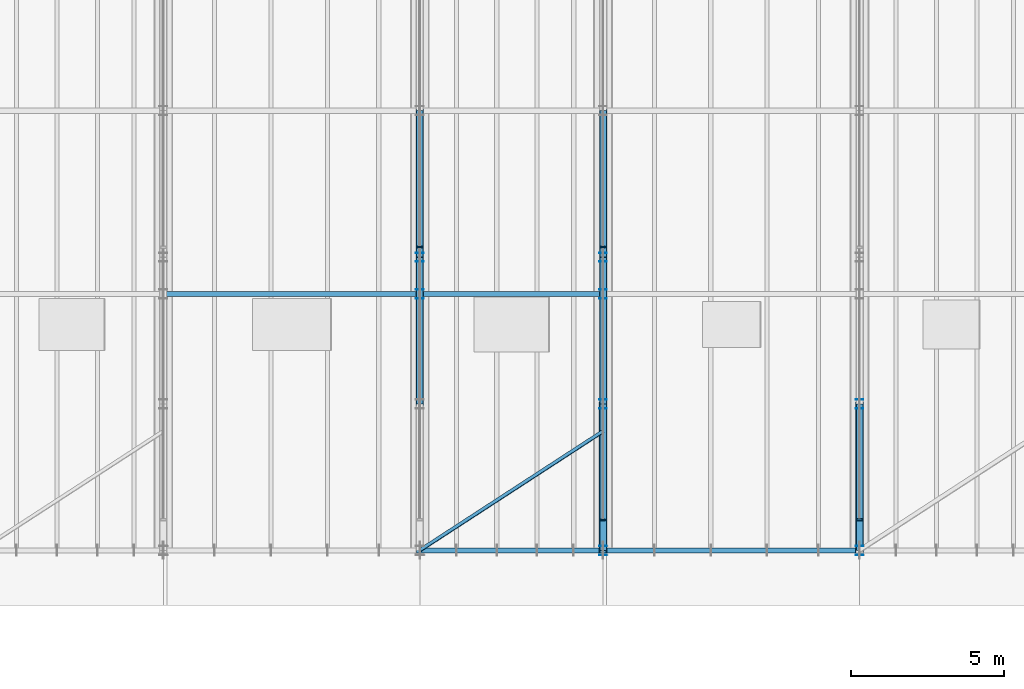
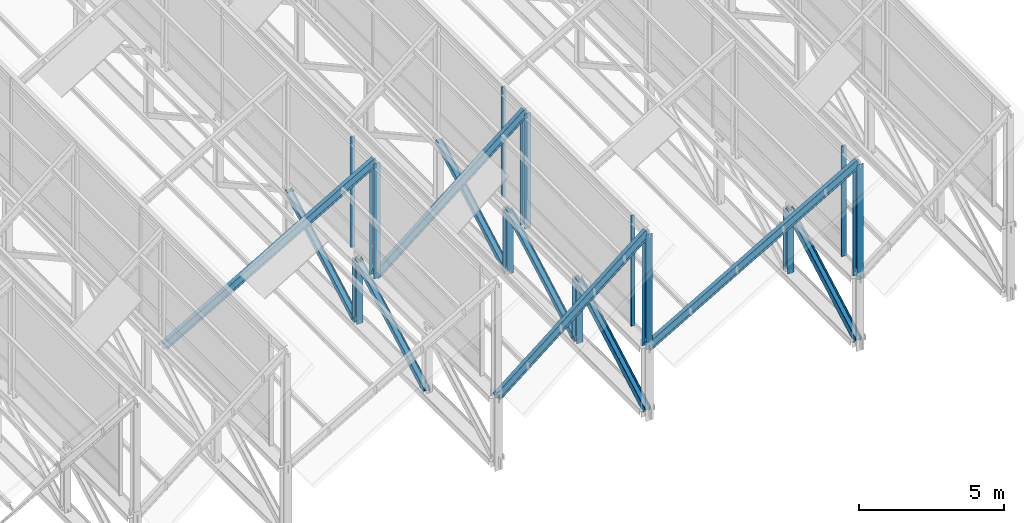
# One storey, part 17 of 101: 19 members, 4 beams, 3 elements without a shape of their own.
"""IFC4 building model written with IfcOpenShell, lengths in metres."""

import ifcopenshell
import ifcopenshell.guid

model = None  # the IFC model being written
_history = None  # IfcOwnerHistory: only IFC2X3 demands one
_inside = {}  # id of a spatial element -> (the spatial element, [elements in it])
_under = {}  # id of a project, library or spatial element -> (it, [spatial elements below it])
_declared = {}  # id of a project -> (the project, [libraries it declares])
_typed = {}  # id of a type object -> (the type object, [elements of that type])
_made_of = {}  # id of a material, layer set ... -> (it, [elements and type objects made of it])


def new_model(schema):
    """Start an empty IFC model of exactly this schema.

    Asked for "IFC4X3", IfcOpenShell would pick the latest addendum, in which some entities
    have other attributes; the version numbers below select the first issue.
    IFC2X3 requires an IfcOwnerHistory on every rooted entity: one is made here for all.
    """
    global model, _history
    if schema == "IFC4X3":
        model = ifcopenshell.file(schema_version=(4, 3, 0, 0))
    else:
        model = ifcopenshell.file(schema=schema)
    _inside.clear()
    _under.clear()
    _declared.clear()
    _typed.clear()
    _made_of.clear()
    _history = None
    if model.schema == "IFC2X3":
        org = make("IfcOrganization", Name="unknown")
        user = make(
            "IfcPersonAndOrganization",
            ThePerson=make("IfcPerson", FamilyName="unknown"),
            TheOrganization=org,
        )
        app = make(
            "IfcApplication",
            ApplicationDeveloper=org,
            Version="unknown",
            ApplicationFullName="unknown",
            ApplicationIdentifier="unknown",
        )
        _history = make(
            "IfcOwnerHistory",
            OwningUser=user,
            OwningApplication=app,
            ChangeAction="ADDED",
            CreationDate=0,
        )
    return model


def make(cls, **values):
    """One entity of the class cls with the attributes given. An attribute that is None is left unset."""
    return model.create_entity(
        cls, **{name: value for name, value in values.items() if value is not None}
    )


def rooted(cls, **values):
    """An entity with a GlobalId (a new one), such as an element, a storey or a relation."""
    return make(cls, GlobalId=ifcopenshell.guid.new(), OwnerHistory=_history, **values)


def si_unit(unit_type, name, prefix=None):
    """IfcSIUnit, for example si_unit("LENGTHUNIT", "METRE", prefix="MILLI")."""
    return make("IfcSIUnit", UnitType=unit_type, Prefix=prefix, Name=name)


def assignment(units):
    """IfcUnitAssignment: the units of a project."""
    return None if units is None else make("IfcUnitAssignment", Units=units)


def point(xyz):
    """IfcCartesianPoint."""
    return None if xyz is None else make("IfcCartesianPoint", Coordinates=xyz)


def direction(xyz):
    """IfcDirection."""
    return None if xyz is None else make("IfcDirection", DirectionRatios=xyz)


def frame(location, z_axis=None, x_axis=None):
    """IfcAxis2Placement3D, a coordinate frame: its origin and axes. An axis left out is left unset."""
    return make(
        "IfcAxis2Placement3D",
        Location=point(location),
        Axis=direction(z_axis),
        RefDirection=direction(x_axis),
    )


def frame_2d(location, x_axis=None):
    """IfcAxis2Placement2D, a coordinate frame in the plane: its origin and x axis."""
    return make(
        "IfcAxis2Placement2D", Location=point(location), RefDirection=direction(x_axis)
    )


def origin():
    """The frame at (0, 0, 0) with its axes left unset."""
    return frame((0.0, 0.0, 0.0))


def origin_2d():
    """The frame at (0, 0) in the plane with its x axis left unset."""
    return frame_2d((0.0, 0.0))


def place(relative_to, where):
    """IfcLocalPlacement: puts the frame where relative to a parent placement (None: the world)."""
    return make(
        "IfcLocalPlacement", PlacementRelTo=relative_to, RelativePlacement=where
    )


def context(
    kind, dimensions, precision=None, world=None, true_north=None, identifier=None
):
    """IfcGeometricRepresentationContext, for example the 3D "Model" context."""
    return make(
        "IfcGeometricRepresentationContext",
        ContextIdentifier=identifier,
        ContextType=kind,
        CoordinateSpaceDimension=dimensions,
        Precision=precision,
        WorldCoordinateSystem=world,
        TrueNorth=true_north,
    )


def subcontext(parent, identifier, kind, view, scale=None):
    """IfcGeometricRepresentationSubContext, for example "Body" below "Model"."""
    return make(
        "IfcGeometricRepresentationSubContext",
        ContextIdentifier=identifier,
        ContextType=kind,
        ParentContext=parent,
        TargetScale=scale,
        TargetView=view,
    )


def project(units=None, contexts=None):
    """IfcProject with its units and contexts."""
    return rooted(
        "IfcProject",
        Name="project",
        RepresentationContexts=contexts,
        UnitsInContext=assignment(units),
    )


def spatial(cls, under=None, at=None, **own):
    """A site, building, storey or space (cls), placed at a placement, below another one or the project."""
    s = rooted(cls, ObjectPlacement=at, **own)
    if under is not None:
        _under.setdefault(under.id(), (under, []))[1].append(s)
    return s


def profile(cls, at=None, kind="AREA", **sizes):
    """A parametric profile (cls). Its sizes go by their IFC names, for example OverallWidth=200.0."""
    return make(cls, ProfileType=kind, Position=at, **sizes)


def rectangle(**sizes):
    """IfcRectangleProfileDef."""
    return profile("IfcRectangleProfileDef", **sizes)


def i_section(**sizes):
    """IfcIShapeProfileDef."""
    return profile("IfcIShapeProfileDef", **sizes)


def l_section(**sizes):
    """IfcLShapeProfileDef."""
    return profile("IfcLShapeProfileDef", **sizes)


def extrude(swept, where, along, depth):
    """IfcExtrudedAreaSolid: the profile swept, set in the frame where, extruded along a direction by depth."""
    return make(
        "IfcExtrudedAreaSolid",
        SweptArea=swept,
        Position=where,
        ExtrudedDirection=direction(along),
        Depth=depth,
    )


def shape(context_of_items, identifier, shape_type, items):
    """IfcShapeRepresentation: the items that make up one representation, for example the "Body"."""
    return make(
        "IfcShapeRepresentation",
        ContextOfItems=context_of_items,
        RepresentationIdentifier=identifier,
        RepresentationType=shape_type,
        Items=items,
    )


def material(Name=None, Category=None):
    """IfcMaterial."""
    return make("IfcMaterial", Name=Name, Category=Category)


def material_profile(
    of_material, cross_section, Name=None, Category=None, Priority=None
):
    """IfcMaterialProfile: a cross section and its material."""
    return make(
        "IfcMaterialProfile",
        Name=Name,
        Material=of_material,
        Profile=cross_section,
        Priority=Priority,
        Category=Category,
    )


def profile_set(profiles, Name=None, composite=None):
    """IfcMaterialProfileSet."""
    return make(
        "IfcMaterialProfileSet",
        Name=Name,
        MaterialProfiles=profiles,
        CompositeProfile=composite,
    )


def made_of(thing, what):
    """Note that an element or type object is made of a material, layer set ...; save() writes the relation."""
    if what is not None:
        _made_of.setdefault(what.id(), (what, []))[1].append(thing)
    return thing


def type_object(cls, material=None, **own):
    """A type object (cls), such as IfcWallType, which elements share."""
    return made_of(rooted(cls, **own), material)


def element(
    cls,
    number,
    at=None,
    inside=None,
    cuts=None,
    type_object=None,
    material=None,
    context=None,
    identifier="Body",
    shape_type=None,
    held_by="IfcProductDefinitionShape",
    body=None,
    shapes=None,
    **own,
):
    """One element of the class cls, such as IfcWall. Its Tag is "e" and its number.

    at: its placement. inside: the storey or other place that contains it. cuts: it is an
    opening in that element (IfcRelVoidsElement). A single representation is given by context,
    identifier, shape_type and body (its items); several are given by shapes. held_by: the class
    of the entity that holds the representations. save() writes the other relations.
    """
    e = rooted(cls, Tag="e%d" % number, ObjectPlacement=at, **own)
    if body is not None:
        shapes = [shape(context, identifier, shape_type, body)]
    if shapes is not None:
        e.Representation = make(held_by, Representations=shapes)
    if inside is not None:
        _inside.setdefault(inside.id(), (inside, []))[1].append(e)
    if cuts is not None:
        rooted(
            "IfcRelVoidsElement", RelatingBuildingElement=cuts, RelatedOpeningElement=e
        )
    if type_object is not None:
        _typed.setdefault(type_object.id(), (type_object, []))[1].append(e)
    return made_of(e, material)


def aggregate(whole, parts):
    """IfcRelAggregates: a whole, such as a stair, and the parts it consists of."""
    return rooted("IfcRelAggregates", RelatingObject=whole, RelatedObjects=parts)


def save(model, path):
    """Write the relations noted so far, then the file.

    IfcRelAggregates (storeys below a building ...), IfcRelContainedInSpatialStructure (elements
    in a storey), IfcRelDefinesByType, IfcRelAssociatesMaterial and IfcRelDeclares: one each for
    every whole, place, type object, material and project.
    """
    for whole, parts in _under.values():
        aggregate(whole, parts)
    for where, things in _inside.values():
        rooted(
            "IfcRelContainedInSpatialStructure",
            RelatedElements=things,
            RelatingStructure=where,
        )
    for kind, things in _typed.values():
        rooted("IfcRelDefinesByType", RelatedObjects=things, RelatingType=kind)
    for what, things in _made_of.values():
        rooted("IfcRelAssociatesMaterial", RelatedObjects=things, RelatingMaterial=what)
    for by, libraries in _declared.values():
        rooted("IfcRelDeclares", RelatingContext=by, RelatedDefinitions=libraries)
    model.write(path)


model = new_model("IFC4")

# Units and contexts
model_context = context("Model", 3, precision=1e-05, world=origin(), true_north=direction((0.0, 1.0)))
body_context = subcontext(model_context, "Body", "Model", "MODEL_VIEW")
ifc_project = project(units=[si_unit("LENGTHUNIT", "METRE"), si_unit("AREAUNIT", "SQUARE_METRE"), si_unit("VOLUMEUNIT", "CUBIC_METRE"), si_unit("PLANEANGLEUNIT", "RADIAN"), si_unit("MASSUNIT", "GRAM", prefix="KILO"), si_unit("THERMODYNAMICTEMPERATUREUNIT", "KELVIN")], contexts=[model_context])

# Site, building, storey
site_placement = place(None, origin())
site = spatial("IfcSite", under=ifc_project, at=site_placement, CompositionType="ELEMENT")
building_placement = place(site_placement, origin())
building = spatial("IfcBuilding", under=site, at=building_placement, Name="Thalorik Housing Commons", CompositionType="ELEMENT")
storey_placement = place(building_placement, frame((0.0, 0.0, 8.10009765625)))
storey = spatial("IfcBuildingStorey", under=building, at=storey_placement, Name="L02", CompositionType="ELEMENT", Elevation=8.10009765625)

# Curtain wall, members
ifc_material_1 = material(Name="Anodised aluminium and solar-control low-E glass", Category="aluminium")
curtain_wall_type = type_object("IfcCurtainWallType", Name="ARC-CW-CLER", PredefinedType="USERDEFINED", material=ifc_material_1)
curtain_wall_1_placement = place(storey_placement, origin())
curtain_wall_1 = element("IfcCurtainWall", 1, at=curtain_wall_1_placement, inside=storey, type_object=curtain_wall_type, Name="L02 Curtain Wall CW-SAW-CLER-05", ObjectType="CURTAIN WALL", PredefinedType="USERDEFINED")
ifc_material_2 = material(Name="Anodised aluminium 6063-T6", Category="aluminium")
ifc_material_profile_1 = material_profile(ifc_material_2, rectangle(XDim=0.054931640625, YDim=0.139892578125, at=origin_2d()), Name="ALU MUL 55x140", Category="aluminium")
ifc_profile_set_1 = profile_set([ifc_material_profile_1], Name="Anodised aluminium 6063-T6")
member_type_1 = type_object("IfcMemberType", Name="ARC-CW-MUL-55x140", PredefinedType="MULLION", material=ifc_profile_set_1)
member_1_placement = place(storey_placement, frame((100.800048828125, 58.60009765625, 3.2998046875), z_axis=(0.0, 0.0, 1.0), x_axis=(0.0, 1.0, 0.0)))
member_1 = element("IfcMember", 2, at=member_1_placement, type_object=member_type_1, Name="CW-SAW-CLER-05 Mullion 1", PredefinedType="MULLION", context=body_context, shape_type="SweptSolid", body=[
    extrude(rectangle(XDim=0.054931640625, YDim=0.139892578125, at=origin_2d()), origin(), (0.0, 0.0, 1.0), 4.650146484375),
])
member_2_placement = place(storey_placement, frame((100.800048828125, 67.533203125, 3.2998046875), z_axis=(0.0, 0.0, 1.0), x_axis=(0.0, 1.0, 0.0)))
member_2 = element("IfcMember", 3, at=member_2_placement, type_object=member_type_1, Name="CW-SAW-CLER-05 Mullion 2", PredefinedType="MULLION", context=body_context, shape_type="SweptSolid", body=[
    extrude(rectangle(XDim=0.054931640625, YDim=0.139892578125, at=origin_2d()), origin(), (0.0, 0.0, 1.0), 4.650146484375),
])
aggregate(curtain_wall_1, [member_1, member_2])

# Curtain wall, member
curtain_wall_2_placement = place(storey_placement, origin())
curtain_wall_2 = element("IfcCurtainWall", 4, at=curtain_wall_2_placement, inside=storey, type_object=curtain_wall_type, Name="L02 Curtain Wall CW-SAW-CLER-04", ObjectType="CURTAIN WALL", PredefinedType="USERDEFINED")
ifc_material_profile_2 = material_profile(ifc_material_2, rectangle(XDim=0.06005859375, YDim=0.159912109375, at=origin_2d()), Name="ALU MUL 60x160", Category="aluminium")
ifc_profile_set_2 = profile_set([ifc_material_profile_2], Name="Anodised aluminium 6063-T6")
member_type_2 = type_object("IfcMemberType", Name="ARC-CW-MUL-60x160", PredefinedType="MULLION", material=ifc_profile_set_2)
member_3_placement = place(storey_placement, frame((94.800048828125, 67.533203125, 3.2998046875), z_axis=(0.0, 0.0, 1.0), x_axis=(0.0, 1.0, 0.0)))
member_3 = element("IfcMember", 5, at=member_3_placement, type_object=member_type_2, Name="CW-SAW-CLER-04 Mullion 2", PredefinedType="MULLION", context=body_context, shape_type="SweptSolid", body=[
    extrude(rectangle(XDim=0.06005859375, YDim=0.159912109375, at=origin_2d()), origin(), (0.0, 0.0, 1.0), 4.650146484375),
])
aggregate(curtain_wall_2, [member_3])

curtain_wall_3_placement = place(storey_placement, origin())
curtain_wall_3 = element("IfcCurtainWall", 6, at=curtain_wall_3_placement, inside=storey, type_object=curtain_wall_type, Name="L02 Curtain Wall CW-SAW-CLER-06", ObjectType="CURTAIN WALL", PredefinedType="USERDEFINED")
ifc_material_profile_3 = material_profile(ifc_material_2, rectangle(XDim=0.06494140625, YDim=0.179931640625, at=origin_2d()), Name="ALU MUL 65x180", Category="aluminium")
ifc_profile_set_3 = profile_set([ifc_material_profile_3], Name="Anodised aluminium 6063-T6")
member_type_3 = type_object("IfcMemberType", Name="ARC-CW-MUL-65x180", PredefinedType="MULLION", material=ifc_profile_set_3)
member_4_placement = place(storey_placement, frame((109.199951171875, 58.60009765625, 3.2998046875), z_axis=(0.0, 0.0, 1.0), x_axis=(0.0, 1.0, 0.0)))
member_4 = element("IfcMember", 7, at=member_4_placement, type_object=member_type_3, Name="CW-SAW-CLER-06 Mullion 1", PredefinedType="MULLION", context=body_context, shape_type="SweptSolid", body=[
    extrude(rectangle(XDim=0.06494140625, YDim=0.179931640625, at=origin_2d()), origin(), (0.0, 0.0, 1.0), 4.650146484375),
])
aggregate(curtain_wall_3, [member_4])

# Beams
ifc_material_3 = material(Name="Steel S355", Category="steel")
ifc_material_profile_4 = material_profile(ifc_material_3, i_section(OverallWidth=0.1708984375, OverallDepth=0.35498046875, WebThickness=0.007080078125, FlangeThickness=0.01171875, FilletRadius=0.010009765625, at=origin_2d()), Name="W360x51", Category="steel")
ifc_profile_set_4 = profile_set([ifc_material_profile_4], Name="Steel S355")
beam_type = type_object("IfcBeamType", Name="STR-BM-W360x51", PredefinedType="BEAM", material=ifc_profile_set_4)
beam_1_placement = place(storey_placement, frame((86.39990234375, 66.0, 3.0), z_axis=(0.86602421266, 0.0, 0.500002063083), x_axis=(0.0, 1.0, 0.0)))
element("IfcBeam", 8, at=beam_1_placement, inside=storey, type_object=beam_type, Name="L02 Sawtooth Bay 4 Rafter 2", PredefinedType="BEAM", context=body_context, shape_type="SweptSolid", body=[
    extrude(i_section(OverallWidth=0.1708984375, OverallDepth=0.35498046875, WebThickness=0.007080078125, FlangeThickness=0.01171875, FilletRadius=0.010009765625, at=origin_2d()), origin(), (0.0, 0.0, 1.0), 9.69970703125),
])
for number, where, z_axis, x_axis, name in (
    (9, (94.800048828125, 57.60009765625, 3.0), (0.777706721002, 0.0, 0.628627279163), (0.0, 1.0, 0.0), "L02 Sawtooth Bay 5 Rafter 1"),
    (10, (94.800048828125, 66.0, 3.0), (0.777706721002, 0.0, 0.628627279163), (0.0, 1.0, 0.0), "L02 Sawtooth Bay 5 Rafter 2"),
):
    element("IfcBeam", number, at=place(storey_placement, frame(where, z_axis=z_axis, x_axis=x_axis)), inside=storey, type_object=beam_type, Name=name, PredefinedType="BEAM", context=body_context, shape_type="SweptSolid", body=[
        extrude(i_section(OverallWidth=0.1708984375, OverallDepth=0.35498046875, WebThickness=0.007080078125, FlangeThickness=0.01171875, FilletRadius=0.010009765625, at=origin_2d()), origin(), (0.0, 0.0, 1.0), 7.715087890625),
    ])
beam_2_placement = place(storey_placement, frame((100.800048828125, 57.60009765625, 3.0), z_axis=(0.866017919902, 0.0, 0.500012962241), x_axis=(0.0, 1.0, 0.0)))
element("IfcBeam", 11, at=beam_2_placement, inside=storey, type_object=beam_type, Name="L02 Sawtooth Bay 6 Rafter 1", PredefinedType="BEAM", context=body_context, shape_type="SweptSolid", body=[
    extrude(i_section(OverallWidth=0.1708984375, OverallDepth=0.35498046875, WebThickness=0.007080078125, FlangeThickness=0.01171875, FilletRadius=0.010009765625, at=origin_2d()), origin(), (0.0, 0.0, 1.0), 9.699462890625),
])

# Members
ifc_material_profile_5 = material_profile(ifc_material_3, i_section(OverallWidth=0.201904296875, OverallDepth=0.2470703125, WebThickness=0.00732421875, FlangeThickness=0.010986328125, FilletRadius=0.010009765625, at=origin_2d()), Name="W250x49", Category="steel")
ifc_profile_set_5 = profile_set([ifc_material_profile_5], Name="Steel S355")
member_type_4 = type_object("IfcMemberType", Name="STR-MEM-DIAG-250", PredefinedType="BRACE", material=ifc_profile_set_5)
for number, where, z_axis, x_axis, name in (
    (12, (94.800048828125, 62.39990234375, 0.349853515625), (0.0, 0.875435421067, 0.48333510481), (0.0, -0.48333510481, 0.875435421067), "L02 Sawtooth Truss 5 Web Diagonal 2"),
    (13, (94.800048828125, 67.199951171875, 0.349853515625), (0.0, 0.875435421067, 0.48333510481), (0.0, -0.48333510481, 0.875435421067), "L02 Sawtooth Truss 5 Web Diagonal 3"),
    (14, (100.800048828125, 62.39990234375, 0.349853515625), (0.0, 0.875435421067, 0.48333510481), (0.0, -0.48333510481, 0.875435421067), "L02 Sawtooth Truss 6 Web Diagonal 2"),
    (15, (100.800048828125, 67.199951171875, 0.349853515625), (0.0, 0.875435421067, 0.48333510481), (0.0, -0.48333510481, 0.875435421067), "L02 Sawtooth Truss 6 Web Diagonal 3"),
):
    element("IfcMember", number, at=place(storey_placement, frame(where, z_axis=z_axis, x_axis=x_axis)), inside=storey, type_object=member_type_4, Name=name, PredefinedType="BRACE", context=body_context, shape_type="SweptSolid", body=[
        extrude(i_section(OverallWidth=0.201904296875, OverallDepth=0.2470703125, WebThickness=0.00732421875, FlangeThickness=0.010986328125, FilletRadius=0.010009765625, at=origin_2d()), origin(), (0.0, 0.0, 1.0), 5.483154296875),
    ])
ifc_material_profile_6 = material_profile(ifc_material_3, i_section(OverallWidth=0.25390625, OverallDepth=0.2529296875, WebThickness=0.008544921875, FlangeThickness=0.01416015625, FilletRadius=0.010009765625, at=origin_2d()), Name="W250x73", Category="steel")
ifc_profile_set_6 = profile_set([ifc_material_profile_6], Name="Steel S355")
member_type_5 = type_object("IfcMemberType", Name="STR-MEM-DIAG-250H", PredefinedType="BRACE", material=ifc_profile_set_6)
for number, where, z_axis, x_axis, name in (
    (16, (100.800048828125, 57.60009765625, 0.349853515625), (0.0, 0.875425018498, 0.48335394587), (0.0, -0.48335394587, 0.875425018498), "L02 Sawtooth Truss 6 Web Diagonal 1"),
    (17, (109.199951171875, 57.60009765625, 0.349853515625), (0.0, 0.875425018498, 0.48335394587), (0.0, -0.48335394587, 0.875425018498), "L02 Sawtooth Truss 7 Web Diagonal 1"),
):
    element("IfcMember", number, at=place(storey_placement, frame(where, z_axis=z_axis, x_axis=x_axis)), inside=storey, type_object=member_type_5, Name=name, PredefinedType="BRACE", context=body_context, shape_type="SweptSolid", body=[
        extrude(i_section(OverallWidth=0.25390625, OverallDepth=0.2529296875, WebThickness=0.008544921875, FlangeThickness=0.01416015625, FilletRadius=0.010009765625, at=origin_2d()), origin(), (0.0, 0.0, 1.0), 5.48291015625),
    ])
ifc_material_profile_7 = material_profile(ifc_material_3, i_section(OverallWidth=0.25390625, OverallDepth=0.305908203125, WebThickness=0.0087890625, FlangeThickness=0.0146484375, FilletRadius=0.010009765625, at=origin_2d()), Name="W310x79", Category="steel")
ifc_profile_set_7 = profile_set([ifc_material_profile_7], Name="Steel S355")
member_type_6 = type_object("IfcMemberType", Name="STR-MEM-POST-310", PredefinedType="POST", material=ifc_profile_set_7)
for number, where, z_axis, x_axis, name in (
    (18, (94.800048828125, 67.199951171875, 0.349853515625), (0.0, 0.0, 1.0), (1.0, 0.0, 0.0), "L02 Sawtooth Truss 5 Vertical 2"),
    (19, (100.800048828125, 62.39990234375, 0.349853515625), (0.0, 0.0, 1.0), (1.0, 0.0, 0.0), "L02 Sawtooth Truss 6 Vertical 1"),
    (20, (100.800048828125, 67.199951171875, 0.349853515625), (0.0, 0.0, 1.0), (1.0, 0.0, 0.0), "L02 Sawtooth Truss 6 Vertical 2"),
    (21, (109.199951171875, 62.39990234375, 0.349853515625), (0.0, 0.0, 1.0), (1.0, 0.0, 0.0), "L02 Sawtooth Truss 7 Vertical 1"),
):
    element("IfcMember", number, at=place(storey_placement, frame(where, z_axis=z_axis, x_axis=x_axis)), inside=storey, type_object=member_type_6, Name=name, PredefinedType="POST", context=body_context, shape_type="SweptSolid", body=[
        extrude(i_section(OverallWidth=0.25390625, OverallDepth=0.305908203125, WebThickness=0.0087890625, FlangeThickness=0.0146484375, FilletRadius=0.010009765625, at=origin_2d()), origin(), (0.0, 0.0, 1.0), 2.650146484375),
    ])
for number, where, z_axis, x_axis, name in (
    (22, (94.800048828125, 66.0, 3.0), (0.0, 0.0, 1.0), (1.0, 0.0, 0.0), "L02 Sawtooth Bay 4 Clerestory Post 2"),
    (23, (100.800048828125, 57.60009765625, 3.0), (0.0, 0.0, 1.0), (1.0, 0.0, 0.0), "L02 Sawtooth Bay 5 Clerestory Post 1"),
    (24, (100.800048828125, 66.0, 3.0), (0.0, 0.0, 1.0), (1.0, 0.0, 0.0), "L02 Sawtooth Bay 5 Clerestory Post 2"),
    (25, (109.199951171875, 57.60009765625, 3.0), (0.0, 0.0, 1.0), (1.0, 0.0, 0.0), "L02 Sawtooth Bay 6 Clerestory Post 1"),
):
    element("IfcMember", number, at=place(storey_placement, frame(where, z_axis=z_axis, x_axis=x_axis)), inside=storey, type_object=member_type_6, Name=name, PredefinedType="POST", context=body_context, shape_type="SweptSolid", body=[
        extrude(i_section(OverallWidth=0.25390625, OverallDepth=0.305908203125, WebThickness=0.0087890625, FlangeThickness=0.0146484375, FilletRadius=0.010009765625, at=origin_2d()), origin(), (0.0, 0.0, 1.0), 4.849853515625),
    ])
ifc_material_profile_8 = material_profile(ifc_material_3, l_section(Depth=0.1201171875, Width=0.1201171875, Thickness=0.011962890625, FilletRadius=0.009033203125, at=origin_2d()), Name="L120x120x12", Category="steel")
ifc_profile_set_8 = profile_set([ifc_material_profile_8], Name="Steel S355")
member_type_7 = type_object("IfcMemberType", Name="STR-MEM-TIE-L120", PredefinedType="BRACE", material=ifc_profile_set_8)
member_5_placement = place(storey_placement, frame((94.800048828125, 57.60009765625, 3.0), z_axis=(0.838449851971, 0.544978757136, 0.0), x_axis=(-0.544978757136, 0.838449851971, 0.0)))
element("IfcMember", 26, at=member_5_placement, inside=storey, type_object=member_type_7, Name="L02 Sawtooth Bay 5 Wind Brace S", PredefinedType="BRACE", context=body_context, shape_type="SweptSolid", body=[
    extrude(l_section(Depth=0.1201171875, Width=0.1201171875, Thickness=0.011962890625, FilletRadius=0.009033203125, at=origin_2d()), origin(), (0.0, 0.0, 1.0), 7.156005859375),
])

save(model, "model.ifc")
